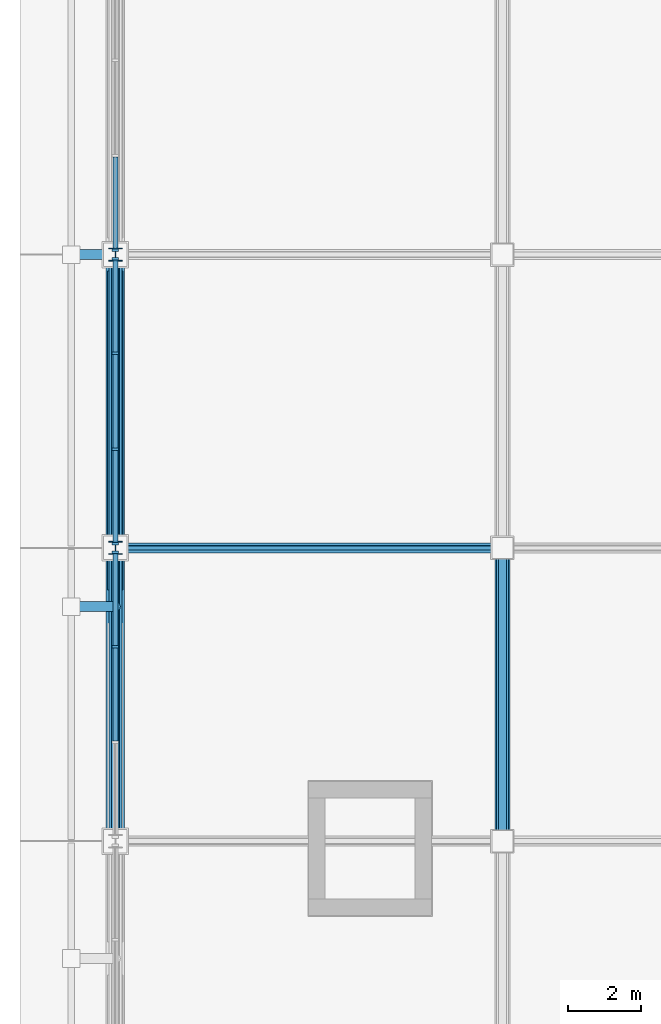
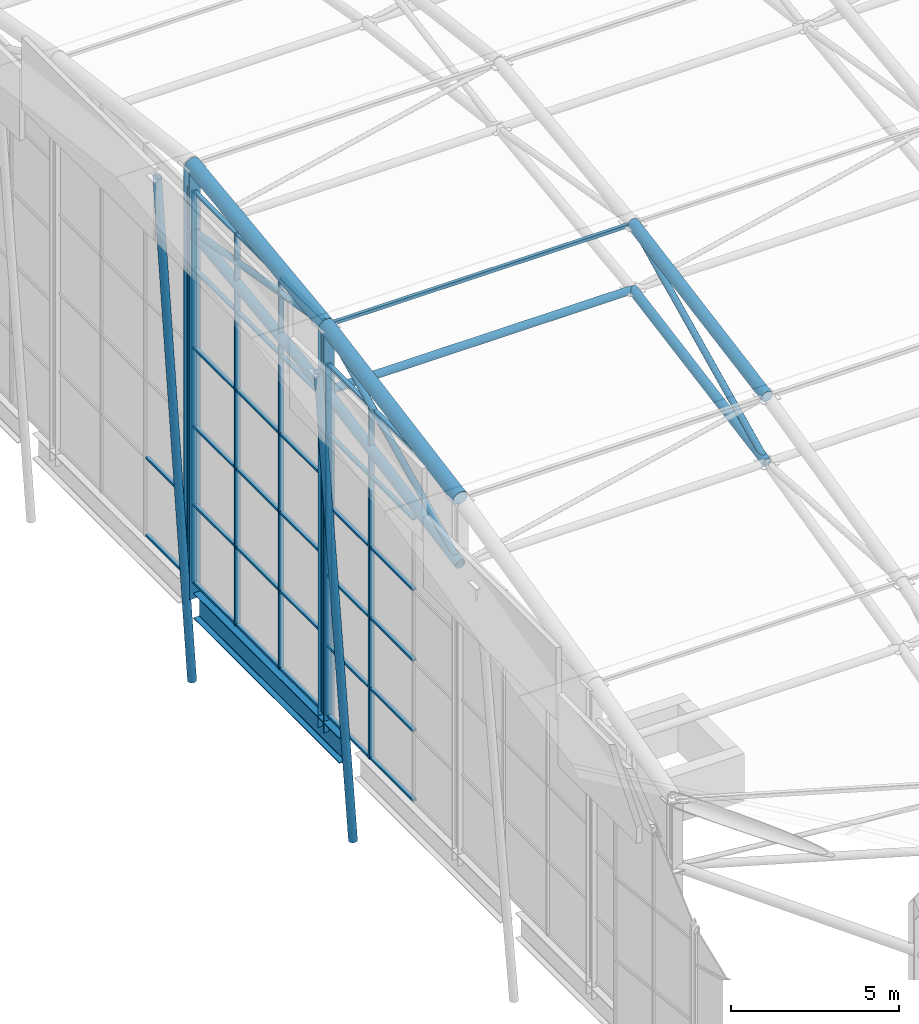
# One storey, part 6 of 42: 54 members, 1 beam, 3 elements without a shape of their own.
"""IFC4 building model written with IfcOpenShell, lengths in metres."""

from ifc_helpers import new_model, si_unit, direction, frame, origin, origin_2d, place, context, subcontext, project, spatial, rectangle, hollow_rectangle, hollow_circle, i_section, extrude, material, layer, layer_set, material_profile, profile_set, type_object, element, aggregate, save


model = new_model("IFC4")

# Units and contexts
model_context = context("Model", 3, precision=1e-05, world=origin(), true_north=direction((0.0, 1.0)))
body_context = subcontext(model_context, "Body", "Model", "MODEL_VIEW")
ifc_project = project(units=[si_unit("LENGTHUNIT", "METRE"), si_unit("AREAUNIT", "SQUARE_METRE"), si_unit("VOLUMEUNIT", "CUBIC_METRE"), si_unit("PLANEANGLEUNIT", "RADIAN"), si_unit("MASSUNIT", "GRAM", prefix="KILO")], contexts=[model_context])

# Site, building, storey
site_placement = place(None, origin())
site = spatial("IfcSite", under=ifc_project, at=site_placement, CompositionType="ELEMENT")
building_placement = place(site_placement, origin())
building = spatial("IfcBuilding", under=site, at=building_placement, Name="Caelomonte Colonnade Arena", CompositionType="ELEMENT")
storey_placement = place(building_placement, frame((0.0, 0.0, 28.199951171875)))
storey = spatial("IfcBuildingStorey", under=building, at=storey_placement, Name="RF", CompositionType="ELEMENT", Elevation=28.199951171875)

# Curtain wall, members
ifc_material_1 = material(Name="Bronze anodised aluminium and low-E glazing", Category="aluminium")
ifc_layer_1 = layer(ifc_material_1, 0.179931640625)
ifc_layer_set_1 = layer_set([ifc_layer_1], Name="Bronze anodised aluminium and low-E glazing")
curtain_wall_type_1 = type_object("IfcCurtainWallType", Name="ENV-CW-CW-TYMP-03", PredefinedType="USERDEFINED", material=ifc_layer_set_1)
curtain_wall_1_placement = place(storey_placement, origin())
curtain_wall_1 = element("IfcCurtainWall", 1, at=curtain_wall_1_placement, inside=storey, type_object=curtain_wall_type_1, Name="Barrel arch W clerestory tympanum curtain wall 3", ObjectType="UNITIZED CURTAIN WALL", PredefinedType="USERDEFINED")
ifc_material_2 = material(Name="Bronze anodised aluminium AA6063-T6", Category="aluminium")
ifc_material_profile_1 = material_profile(ifc_material_2, rectangle(XDim=0.070068359375, YDim=0.179931640625, at=origin_2d()), Name="CWM-70X180")
ifc_profile_set_1 = profile_set([ifc_material_profile_1], Name="Bronze anodised aluminium AA6063-T6")
member_type_1 = type_object("IfcMemberType", Name="ENV-CW-MULL1", PredefinedType="MULLION", material=ifc_profile_set_1)
member_1_placement = place(storey_placement, frame((57.60009765625, 59.0849609375, -0.14990234375), z_axis=(0.0, 0.0, 1.0), x_axis=(0.0, -1.0, 0.0)))
member_1 = element("IfcMember", 2, at=member_1_placement, type_object=member_type_1, Name="CW-TYMP-03 mullion 1", PredefinedType="MULLION", context=body_context, shape_type="SweptSolid", body=[
    extrude(rectangle(XDim=0.070068359375, YDim=0.179931640625, at=origin_2d()), origin(), (0.0, 0.0, 1.0), 12.8359375),
])
member_2_placement = place(storey_placement, frame((57.60009765625, 56.506591796875, -0.14990234375), z_axis=(0.0, 0.0, 1.0), x_axis=(0.0, -1.0, 0.0)))
member_2 = element("IfcMember", 3, at=member_2_placement, type_object=member_type_1, Name="CW-TYMP-03 mullion 2", PredefinedType="MULLION", context=body_context, shape_type="SweptSolid", body=[
    extrude(rectangle(XDim=0.070068359375, YDim=0.179931640625, at=origin_2d()), origin(), (0.0, 0.0, 1.0), 12.8359375),
])

ifc_layer_2 = layer(ifc_material_1, 0.179931640625)
ifc_layer_set_2 = layer_set([ifc_layer_2], Name="Bronze anodised aluminium and low-E glazing")
curtain_wall_type_2 = type_object("IfcCurtainWallType", Name="ENV-CW-CW-TYMP-04", PredefinedType="USERDEFINED", material=ifc_layer_set_2)
curtain_wall_2_placement = place(storey_placement, origin())
curtain_wall_2 = element("IfcCurtainWall", 4, at=curtain_wall_2_placement, inside=storey, type_object=curtain_wall_type_2, Name="Barrel arch W clerestory tympanum curtain wall 4", ObjectType="UNITIZED CURTAIN WALL", PredefinedType="USERDEFINED")
member_3_placement = place(storey_placement, frame((57.60009765625, 67.0849609375, -0.14990234375), z_axis=(0.0, 0.0, 1.0), x_axis=(0.0, -1.0, 0.0)))
member_3 = element("IfcMember", 5, at=member_3_placement, type_object=member_type_1, Name="CW-TYMP-04 mullion 1", PredefinedType="MULLION", context=body_context, shape_type="SweptSolid", body=[
    extrude(rectangle(XDim=0.070068359375, YDim=0.179931640625, at=origin_2d()), origin(), (0.0, 0.0, 1.0), 14.284912109375),
])
member_4_placement = place(storey_placement, frame((57.60009765625, 64.506591796875, -0.14990234375), z_axis=(0.0, 0.0, 1.0), x_axis=(0.0, -1.0, 0.0)))
member_4 = element("IfcMember", 6, at=member_4_placement, type_object=member_type_1, Name="CW-TYMP-04 mullion 2", PredefinedType="MULLION", context=body_context, shape_type="SweptSolid", body=[
    extrude(rectangle(XDim=0.070068359375, YDim=0.179931640625, at=origin_2d()), origin(), (0.0, 0.0, 1.0), 14.284912109375),
])
member_5_placement = place(storey_placement, frame((57.60009765625, 61.893310546875, -0.14990234375), z_axis=(0.0, 0.0, 1.0), x_axis=(0.0, -1.0, 0.0)))
member_5 = element("IfcMember", 7, at=member_5_placement, type_object=member_type_1, Name="CW-TYMP-04 mullion 3", PredefinedType="MULLION", context=body_context, shape_type="SweptSolid", body=[
    extrude(rectangle(XDim=0.070068359375, YDim=0.179931640625, at=origin_2d()), origin(), (0.0, 0.0, 1.0), 14.284912109375),
])
member_6_placement = place(storey_placement, frame((57.60009765625, 59.31494140625, -0.14990234375), z_axis=(0.0, 0.0, 1.0), x_axis=(0.0, -1.0, 0.0)))
member_6 = element("IfcMember", 8, at=member_6_placement, type_object=member_type_1, Name="CW-TYMP-04 mullion 4", PredefinedType="MULLION", context=body_context, shape_type="SweptSolid", body=[
    extrude(rectangle(XDim=0.070068359375, YDim=0.179931640625, at=origin_2d()), origin(), (0.0, 0.0, 1.0), 14.284912109375),
])

# Curtain wall, member
ifc_layer_3 = layer(ifc_material_1, 0.179931640625)
ifc_layer_set_3 = layer_set([ifc_layer_3], Name="Bronze anodised aluminium and low-E glazing")
curtain_wall_type_3 = type_object("IfcCurtainWallType", Name="ENV-CW-CW-TYMP-05", PredefinedType="USERDEFINED", material=ifc_layer_set_3)
curtain_wall_3_placement = place(storey_placement, origin())
curtain_wall_3 = element("IfcCurtainWall", 9, at=curtain_wall_3_placement, inside=storey, type_object=curtain_wall_type_3, Name="Barrel arch W clerestory tympanum curtain wall 5", ObjectType="UNITIZED CURTAIN WALL", PredefinedType="USERDEFINED")
member_7_placement = place(storey_placement, frame((57.60009765625, 67.31494140625, -0.14990234375), z_axis=(0.0, 0.0, 1.0), x_axis=(0.0, -1.0, 0.0)))
member_7 = element("IfcMember", 10, at=member_7_placement, type_object=member_type_1, Name="CW-TYMP-05 mullion 4", PredefinedType="MULLION", context=body_context, shape_type="SweptSolid", body=[
    extrude(rectangle(XDim=0.070068359375, YDim=0.179931640625, at=origin_2d()), origin(), (0.0, 0.0, 1.0), 14.284912109375),
])

# Member
ifc_material_profile_2 = material_profile(ifc_material_2, rectangle(XDim=0.070068359375, YDim=0.139892578125, at=origin_2d()), Name="CWT-70X140")
ifc_profile_set_2 = profile_set([ifc_material_profile_2], Name="Bronze anodised aluminium AA6063-T6")
member_type_2 = type_object("IfcMemberType", Name="ENV-CW-TRAN1", PredefinedType="USERDEFINED", material=ifc_profile_set_2)
member_8_placement = place(storey_placement, frame((57.60009765625, 59.050048828125, -0.114990234375), z_axis=(0.0, -1.0, 0.0), x_axis=(0.0, 0.0, 1.0)))
member_8 = element("IfcMember", 11, at=member_8_placement, type_object=member_type_2, Name="CW-TYMP-03 transom 1.1", ObjectType="TRANSOM", PredefinedType="USERDEFINED", context=body_context, shape_type="SweptSolid", body=[
    extrude(rectangle(XDim=0.070068359375, YDim=0.139892578125, at=origin_2d()), origin(), (0.0, 0.0, 1.0), 2.50830078125),
])

member_9_placement = place(storey_placement, frame((57.60009765625, 59.050048828125, 2.417236328125), z_axis=(0.0, -1.0, 0.0), x_axis=(0.0, 0.0, 1.0)))
member_9 = element("IfcMember", 12, at=member_9_placement, type_object=member_type_2, Name="CW-TYMP-03 transom 1.2", ObjectType="TRANSOM", PredefinedType="USERDEFINED", context=body_context, shape_type="SweptSolid", body=[
    extrude(rectangle(XDim=0.070068359375, YDim=0.139892578125, at=origin_2d()), origin(), (0.0, 0.0, 1.0), 2.50830078125),
])

member_10_placement = place(storey_placement, frame((57.60009765625, 59.050048828125, 4.984375), z_axis=(0.0, -1.0, 0.0), x_axis=(0.0, 0.0, 1.0)))
member_10 = element("IfcMember", 13, at=member_10_placement, type_object=member_type_2, Name="CW-TYMP-03 transom 1.3", ObjectType="TRANSOM", PredefinedType="USERDEFINED", context=body_context, shape_type="SweptSolid", body=[
    extrude(rectangle(XDim=0.070068359375, YDim=0.139892578125, at=origin_2d()), origin(), (0.0, 0.0, 1.0), 2.50830078125),
])

member_11_placement = place(storey_placement, frame((57.60009765625, 59.050048828125, 7.5517578125), z_axis=(0.0, -1.0, 0.0), x_axis=(0.0, 0.0, 1.0)))
member_11 = element("IfcMember", 14, at=member_11_placement, type_object=member_type_2, Name="CW-TYMP-03 transom 1.4", ObjectType="TRANSOM", PredefinedType="USERDEFINED", context=body_context, shape_type="SweptSolid", body=[
    extrude(rectangle(XDim=0.070068359375, YDim=0.139892578125, at=origin_2d()), origin(), (0.0, 0.0, 1.0), 2.50830078125),
])

member_12_placement = place(storey_placement, frame((57.60009765625, 59.050048828125, 10.118896484375), z_axis=(0.0, -1.0, 0.0), x_axis=(0.0, 0.0, 1.0)))
member_12 = element("IfcMember", 15, at=member_12_placement, type_object=member_type_2, Name="CW-TYMP-03 transom 1.5", ObjectType="TRANSOM", PredefinedType="USERDEFINED", context=body_context, shape_type="SweptSolid", body=[
    extrude(rectangle(XDim=0.070068359375, YDim=0.139892578125, at=origin_2d()), origin(), (0.0, 0.0, 1.0), 2.50830078125),
])

member_13_placement = place(storey_placement, frame((57.60009765625, 59.050048828125, 12.651123046875), z_axis=(0.0, -1.0, 0.0), x_axis=(0.0, 0.0, 1.0)))
member_13 = element("IfcMember", 16, at=member_13_placement, type_object=member_type_2, Name="CW-TYMP-03 transom 1.6", ObjectType="TRANSOM", PredefinedType="USERDEFINED", context=body_context, shape_type="SweptSolid", body=[
    extrude(rectangle(XDim=0.070068359375, YDim=0.139892578125, at=origin_2d()), origin(), (0.0, 0.0, 1.0), 2.50830078125),
])

member_14_placement = place(storey_placement, frame((57.60009765625, 56.4716796875, -0.114990234375), z_axis=(0.0, -1.0, 0.0), x_axis=(0.0, 0.0, 1.0)))
member_14 = element("IfcMember", 17, at=member_14_placement, type_object=member_type_2, Name="CW-TYMP-03 transom 2.1", ObjectType="TRANSOM", PredefinedType="USERDEFINED", context=body_context, shape_type="SweptSolid", body=[
    extrude(rectangle(XDim=0.070068359375, YDim=0.139892578125, at=origin_2d()), origin(), (0.0, 0.0, 1.0), 2.54345703125),
])

member_15_placement = place(storey_placement, frame((57.60009765625, 56.4716796875, 2.417236328125), z_axis=(0.0, -1.0, 0.0), x_axis=(0.0, 0.0, 1.0)))
member_15 = element("IfcMember", 18, at=member_15_placement, type_object=member_type_2, Name="CW-TYMP-03 transom 2.2", ObjectType="TRANSOM", PredefinedType="USERDEFINED", context=body_context, shape_type="SweptSolid", body=[
    extrude(rectangle(XDim=0.070068359375, YDim=0.139892578125, at=origin_2d()), origin(), (0.0, 0.0, 1.0), 2.54345703125),
])

member_16_placement = place(storey_placement, frame((57.60009765625, 56.4716796875, 4.984375), z_axis=(0.0, -1.0, 0.0), x_axis=(0.0, 0.0, 1.0)))
member_16 = element("IfcMember", 19, at=member_16_placement, type_object=member_type_2, Name="CW-TYMP-03 transom 2.3", ObjectType="TRANSOM", PredefinedType="USERDEFINED", context=body_context, shape_type="SweptSolid", body=[
    extrude(rectangle(XDim=0.070068359375, YDim=0.139892578125, at=origin_2d()), origin(), (0.0, 0.0, 1.0), 2.54345703125),
])

member_17_placement = place(storey_placement, frame((57.60009765625, 56.4716796875, 7.5517578125), z_axis=(0.0, -1.0, 0.0), x_axis=(0.0, 0.0, 1.0)))
member_17 = element("IfcMember", 20, at=member_17_placement, type_object=member_type_2, Name="CW-TYMP-03 transom 2.4", ObjectType="TRANSOM", PredefinedType="USERDEFINED", context=body_context, shape_type="SweptSolid", body=[
    extrude(rectangle(XDim=0.070068359375, YDim=0.139892578125, at=origin_2d()), origin(), (0.0, 0.0, 1.0), 2.54345703125),
])

member_18_placement = place(storey_placement, frame((57.60009765625, 56.4716796875, 10.118896484375), z_axis=(0.0, -1.0, 0.0), x_axis=(0.0, 0.0, 1.0)))
member_18 = element("IfcMember", 21, at=member_18_placement, type_object=member_type_2, Name="CW-TYMP-03 transom 2.5", ObjectType="TRANSOM", PredefinedType="USERDEFINED", context=body_context, shape_type="SweptSolid", body=[
    extrude(rectangle(XDim=0.070068359375, YDim=0.139892578125, at=origin_2d()), origin(), (0.0, 0.0, 1.0), 2.54345703125),
])

member_19_placement = place(storey_placement, frame((57.60009765625, 56.4716796875, 12.651123046875), z_axis=(0.0, -1.0, 0.0), x_axis=(0.0, 0.0, 1.0)))
member_19 = element("IfcMember", 22, at=member_19_placement, type_object=member_type_2, Name="CW-TYMP-03 transom 2.6", ObjectType="TRANSOM", PredefinedType="USERDEFINED", context=body_context, shape_type="SweptSolid", body=[
    extrude(rectangle(XDim=0.070068359375, YDim=0.139892578125, at=origin_2d()), origin(), (0.0, 0.0, 1.0), 2.54345703125),
])

aggregate(curtain_wall_1, [member_1, member_2, member_8, member_9, member_10, member_11, member_12, member_13, member_14, member_15, member_16, member_17, member_18, member_19])

member_20_placement = place(storey_placement, frame((57.60009765625, 67.050048828125, -0.114990234375), z_axis=(0.0, -1.0, 0.0), x_axis=(0.0, 0.0, 1.0)))
member_20 = element("IfcMember", 23, at=member_20_placement, type_object=member_type_2, Name="CW-TYMP-04 transom 1.1", ObjectType="TRANSOM", PredefinedType="USERDEFINED", context=body_context, shape_type="SweptSolid", body=[
    extrude(rectangle(XDim=0.070068359375, YDim=0.139892578125, at=origin_2d()), origin(), (0.0, 0.0, 1.0), 2.50830078125),
])

member_21_placement = place(storey_placement, frame((57.60009765625, 67.050048828125, 2.70703125), z_axis=(0.0, -1.0, 0.0), x_axis=(0.0, 0.0, 1.0)))
member_21 = element("IfcMember", 24, at=member_21_placement, type_object=member_type_2, Name="CW-TYMP-04 transom 1.2", ObjectType="TRANSOM", PredefinedType="USERDEFINED", context=body_context, shape_type="SweptSolid", body=[
    extrude(rectangle(XDim=0.070068359375, YDim=0.139892578125, at=origin_2d()), origin(), (0.0, 0.0, 1.0), 2.50830078125),
])

member_22_placement = place(storey_placement, frame((57.60009765625, 67.050048828125, 5.56396484375), z_axis=(0.0, -1.0, 0.0), x_axis=(0.0, 0.0, 1.0)))
member_22 = element("IfcMember", 25, at=member_22_placement, type_object=member_type_2, Name="CW-TYMP-04 transom 1.3", ObjectType="TRANSOM", PredefinedType="USERDEFINED", context=body_context, shape_type="SweptSolid", body=[
    extrude(rectangle(XDim=0.070068359375, YDim=0.139892578125, at=origin_2d()), origin(), (0.0, 0.0, 1.0), 2.50830078125),
])

member_23_placement = place(storey_placement, frame((57.60009765625, 67.050048828125, 8.421142578125), z_axis=(0.0, -1.0, 0.0), x_axis=(0.0, 0.0, 1.0)))
member_23 = element("IfcMember", 26, at=member_23_placement, type_object=member_type_2, Name="CW-TYMP-04 transom 1.4", ObjectType="TRANSOM", PredefinedType="USERDEFINED", context=body_context, shape_type="SweptSolid", body=[
    extrude(rectangle(XDim=0.070068359375, YDim=0.139892578125, at=origin_2d()), origin(), (0.0, 0.0, 1.0), 2.50830078125),
])

member_24_placement = place(storey_placement, frame((57.60009765625, 67.050048828125, 11.278076171875), z_axis=(0.0, -1.0, 0.0), x_axis=(0.0, 0.0, 1.0)))
member_24 = element("IfcMember", 27, at=member_24_placement, type_object=member_type_2, Name="CW-TYMP-04 transom 1.5", ObjectType="TRANSOM", PredefinedType="USERDEFINED", context=body_context, shape_type="SweptSolid", body=[
    extrude(rectangle(XDim=0.070068359375, YDim=0.139892578125, at=origin_2d()), origin(), (0.0, 0.0, 1.0), 2.50830078125),
])

member_25_placement = place(storey_placement, frame((57.60009765625, 67.050048828125, 14.10009765625), z_axis=(0.0, -1.0, 0.0), x_axis=(0.0, 0.0, 1.0)))
member_25 = element("IfcMember", 28, at=member_25_placement, type_object=member_type_2, Name="CW-TYMP-04 transom 1.6", ObjectType="TRANSOM", PredefinedType="USERDEFINED", context=body_context, shape_type="SweptSolid", body=[
    extrude(rectangle(XDim=0.070068359375, YDim=0.139892578125, at=origin_2d()), origin(), (0.0, 0.0, 1.0), 2.50830078125),
])

member_26_placement = place(storey_placement, frame((57.60009765625, 64.4716796875, -0.114990234375), z_axis=(0.0, -1.0, 0.0), x_axis=(0.0, 0.0, 1.0)))
member_26 = element("IfcMember", 29, at=member_26_placement, type_object=member_type_2, Name="CW-TYMP-04 transom 2.1", ObjectType="TRANSOM", PredefinedType="USERDEFINED", context=body_context, shape_type="SweptSolid", body=[
    extrude(rectangle(XDim=0.070068359375, YDim=0.139892578125, at=origin_2d()), origin(), (0.0, 0.0, 1.0), 2.54345703125),
])

member_27_placement = place(storey_placement, frame((57.60009765625, 64.4716796875, 2.70703125), z_axis=(0.0, -1.0, 0.0), x_axis=(0.0, 0.0, 1.0)))
member_27 = element("IfcMember", 30, at=member_27_placement, type_object=member_type_2, Name="CW-TYMP-04 transom 2.2", ObjectType="TRANSOM", PredefinedType="USERDEFINED", context=body_context, shape_type="SweptSolid", body=[
    extrude(rectangle(XDim=0.070068359375, YDim=0.139892578125, at=origin_2d()), origin(), (0.0, 0.0, 1.0), 2.54345703125),
])

member_28_placement = place(storey_placement, frame((57.60009765625, 64.4716796875, 5.56396484375), z_axis=(0.0, -1.0, 0.0), x_axis=(0.0, 0.0, 1.0)))
member_28 = element("IfcMember", 31, at=member_28_placement, type_object=member_type_2, Name="CW-TYMP-04 transom 2.3", ObjectType="TRANSOM", PredefinedType="USERDEFINED", context=body_context, shape_type="SweptSolid", body=[
    extrude(rectangle(XDim=0.070068359375, YDim=0.139892578125, at=origin_2d()), origin(), (0.0, 0.0, 1.0), 2.54345703125),
])

member_29_placement = place(storey_placement, frame((57.60009765625, 64.4716796875, 8.421142578125), z_axis=(0.0, -1.0, 0.0), x_axis=(0.0, 0.0, 1.0)))
member_29 = element("IfcMember", 32, at=member_29_placement, type_object=member_type_2, Name="CW-TYMP-04 transom 2.4", ObjectType="TRANSOM", PredefinedType="USERDEFINED", context=body_context, shape_type="SweptSolid", body=[
    extrude(rectangle(XDim=0.070068359375, YDim=0.139892578125, at=origin_2d()), origin(), (0.0, 0.0, 1.0), 2.54345703125),
])

member_30_placement = place(storey_placement, frame((57.60009765625, 64.4716796875, 11.278076171875), z_axis=(0.0, -1.0, 0.0), x_axis=(0.0, 0.0, 1.0)))
member_30 = element("IfcMember", 33, at=member_30_placement, type_object=member_type_2, Name="CW-TYMP-04 transom 2.5", ObjectType="TRANSOM", PredefinedType="USERDEFINED", context=body_context, shape_type="SweptSolid", body=[
    extrude(rectangle(XDim=0.070068359375, YDim=0.139892578125, at=origin_2d()), origin(), (0.0, 0.0, 1.0), 2.54345703125),
])

member_31_placement = place(storey_placement, frame((57.60009765625, 64.4716796875, 14.10009765625), z_axis=(0.0, -1.0, 0.0), x_axis=(0.0, 0.0, 1.0)))
member_31 = element("IfcMember", 34, at=member_31_placement, type_object=member_type_2, Name="CW-TYMP-04 transom 2.6", ObjectType="TRANSOM", PredefinedType="USERDEFINED", context=body_context, shape_type="SweptSolid", body=[
    extrude(rectangle(XDim=0.070068359375, YDim=0.139892578125, at=origin_2d()), origin(), (0.0, 0.0, 1.0), 2.54345703125),
])

member_32_placement = place(storey_placement, frame((57.60009765625, 61.8583984375, -0.114990234375), z_axis=(0.0, -1.0, 0.0), x_axis=(0.0, 0.0, 1.0)))
member_32 = element("IfcMember", 35, at=member_32_placement, type_object=member_type_2, Name="CW-TYMP-04 transom 3.1", ObjectType="TRANSOM", PredefinedType="USERDEFINED", context=body_context, shape_type="SweptSolid", body=[
    extrude(rectangle(XDim=0.070068359375, YDim=0.139892578125, at=origin_2d()), origin(), (0.0, 0.0, 1.0), 2.50830078125),
])

member_33_placement = place(storey_placement, frame((57.60009765625, 61.8583984375, 2.70703125), z_axis=(0.0, -1.0, 0.0), x_axis=(0.0, 0.0, 1.0)))
member_33 = element("IfcMember", 36, at=member_33_placement, type_object=member_type_2, Name="CW-TYMP-04 transom 3.2", ObjectType="TRANSOM", PredefinedType="USERDEFINED", context=body_context, shape_type="SweptSolid", body=[
    extrude(rectangle(XDim=0.070068359375, YDim=0.139892578125, at=origin_2d()), origin(), (0.0, 0.0, 1.0), 2.50830078125),
])

member_34_placement = place(storey_placement, frame((57.60009765625, 61.8583984375, 5.56396484375), z_axis=(0.0, -1.0, 0.0), x_axis=(0.0, 0.0, 1.0)))
member_34 = element("IfcMember", 37, at=member_34_placement, type_object=member_type_2, Name="CW-TYMP-04 transom 3.3", ObjectType="TRANSOM", PredefinedType="USERDEFINED", context=body_context, shape_type="SweptSolid", body=[
    extrude(rectangle(XDim=0.070068359375, YDim=0.139892578125, at=origin_2d()), origin(), (0.0, 0.0, 1.0), 2.50830078125),
])

member_35_placement = place(storey_placement, frame((57.60009765625, 61.8583984375, 8.421142578125), z_axis=(0.0, -1.0, 0.0), x_axis=(0.0, 0.0, 1.0)))
member_35 = element("IfcMember", 38, at=member_35_placement, type_object=member_type_2, Name="CW-TYMP-04 transom 3.4", ObjectType="TRANSOM", PredefinedType="USERDEFINED", context=body_context, shape_type="SweptSolid", body=[
    extrude(rectangle(XDim=0.070068359375, YDim=0.139892578125, at=origin_2d()), origin(), (0.0, 0.0, 1.0), 2.50830078125),
])

member_36_placement = place(storey_placement, frame((57.60009765625, 61.8583984375, 11.278076171875), z_axis=(0.0, -1.0, 0.0), x_axis=(0.0, 0.0, 1.0)))
member_36 = element("IfcMember", 39, at=member_36_placement, type_object=member_type_2, Name="CW-TYMP-04 transom 3.5", ObjectType="TRANSOM", PredefinedType="USERDEFINED", context=body_context, shape_type="SweptSolid", body=[
    extrude(rectangle(XDim=0.070068359375, YDim=0.139892578125, at=origin_2d()), origin(), (0.0, 0.0, 1.0), 2.50830078125),
])

member_37_placement = place(storey_placement, frame((57.60009765625, 61.8583984375, 14.10009765625), z_axis=(0.0, -1.0, 0.0), x_axis=(0.0, 0.0, 1.0)))
member_37 = element("IfcMember", 40, at=member_37_placement, type_object=member_type_2, Name="CW-TYMP-04 transom 3.6", ObjectType="TRANSOM", PredefinedType="USERDEFINED", context=body_context, shape_type="SweptSolid", body=[
    extrude(rectangle(XDim=0.070068359375, YDim=0.139892578125, at=origin_2d()), origin(), (0.0, 0.0, 1.0), 2.50830078125),
])

aggregate(curtain_wall_2, [member_3, member_4, member_5, member_6, member_20, member_21, member_22, member_23, member_24, member_25, member_26, member_27, member_28, member_29, member_30, member_31, member_32, member_33, member_34, member_35, member_36, member_37])

member_38_placement = place(storey_placement, frame((57.60009765625, 69.8583984375, -0.114990234375), z_axis=(0.0, -1.0, 0.0), x_axis=(0.0, 0.0, 1.0)))
member_38 = element("IfcMember", 41, at=member_38_placement, type_object=member_type_2, Name="CW-TYMP-05 transom 3.1", ObjectType="TRANSOM", PredefinedType="USERDEFINED", context=body_context, shape_type="SweptSolid", body=[
    extrude(rectangle(XDim=0.070068359375, YDim=0.139892578125, at=origin_2d()), origin(), (0.0, 0.0, 1.0), 2.50830078125),
])

member_39_placement = place(storey_placement, frame((57.60009765625, 69.8583984375, 2.70703125), z_axis=(0.0, -1.0, 0.0), x_axis=(0.0, 0.0, 1.0)))
member_39 = element("IfcMember", 42, at=member_39_placement, type_object=member_type_2, Name="CW-TYMP-05 transom 3.2", ObjectType="TRANSOM", PredefinedType="USERDEFINED", context=body_context, shape_type="SweptSolid", body=[
    extrude(rectangle(XDim=0.070068359375, YDim=0.139892578125, at=origin_2d()), origin(), (0.0, 0.0, 1.0), 2.50830078125),
])

aggregate(curtain_wall_3, [member_7, member_38, member_39])

# Beam
ifc_material_3 = material(Name="Wide-flange steel ASTM A992 Grade 50", Category="steel")
ifc_material_profile_3 = material_profile(ifc_material_3, i_section(OverallWidth=0.418212890625, OverallDepth=0.927001953125, WebThickness=0.019287109375, FlangeThickness=0.031982421875, FilletRadius=0.024169921875, at=origin_2d()), Name="W36X231")
ifc_profile_set_3 = profile_set([ifc_material_profile_3], Name="Wide-flange steel ASTM A992 Grade 50")
beam_type = type_object("IfcBeamType", Name="STR-BM-EAVES1", PredefinedType="SPANDREL", material=ifc_profile_set_3)
beam_placement = place(storey_placement, frame((57.60009765625, 58.04931640625, -0.743408203125), z_axis=(0.0, 1.0, 0.0), x_axis=(-1.0, 0.0, 0.0)))
element("IfcBeam", 43, at=beam_placement, inside=storey, type_object=beam_type, Name="RF girder BMY-RF-0576-0576", PredefinedType="SPANDREL", context=body_context, shape_type="SweptSolid", body=[
    extrude(i_section(OverallWidth=0.418212890625, OverallDepth=0.927001953125, WebThickness=0.019287109375, FlangeThickness=0.031982421875, FilletRadius=0.024169921875, at=origin_2d()), origin(), (0.0, 0.0, 1.0), 8.701416015625),
])

# Members
ifc_material_profile_4 = material_profile(ifc_material_3, i_section(OverallWidth=0.368896484375, OverallDepth=0.356201171875, WebThickness=0.01123046875, FlangeThickness=0.01806640625, FilletRadius=0.01513671875, at=origin_2d()), Name="W14X90")
ifc_profile_set_4 = profile_set([ifc_material_profile_4], Name="Wide-flange steel ASTM A992 Grade 50")
member_type_3 = type_object("IfcMemberType", Name="STR-CAT-STR", PredefinedType="STRUT", material=ifc_profile_set_4)
member_40_placement = place(storey_placement, frame((57.60009765625, 59.199951171875, -0.699951171875), z_axis=(0.0, 0.0, 1.0), x_axis=(1.0, 0.0, 0.0)))
element("IfcMember", 44, at=member_40_placement, inside=storey, type_object=member_type_3, Name="Roof truss eaves bearing post 0-5", PredefinedType="STRUT", context=body_context, shape_type="SweptSolid", body=[
    extrude(i_section(OverallWidth=0.368896484375, OverallDepth=0.356201171875, WebThickness=0.01123046875, FlangeThickness=0.01806640625, FilletRadius=0.01513671875, at=origin_2d()), origin(), (0.0, 0.0, 1.0), 14.68505859375),
])
member_41_placement = place(storey_placement, frame((57.60009765625, 67.199951171875, -0.699951171875), z_axis=(0.0, 0.0, 1.0), x_axis=(1.0, 0.0, 0.0)))
element("IfcMember", 45, at=member_41_placement, inside=storey, type_object=member_type_3, Name="Roof truss eaves bearing post 0-6", PredefinedType="STRUT", context=body_context, shape_type="SweptSolid", body=[
    extrude(i_section(OverallWidth=0.368896484375, OverallDepth=0.356201171875, WebThickness=0.01123046875, FlangeThickness=0.01806640625, FilletRadius=0.01513671875, at=origin_2d()), origin(), (0.0, 0.0, 1.0), 15.699951171875),
])
ifc_material_4 = material(Name="Steel ASTM A500 Grade C", Category="steel")
ifc_material_profile_5 = material_profile(ifc_material_4, hollow_circle(Radius=0.177734375, WallThickness=0.0126953125, at=origin_2d()), Name="CHS355.6X12.7")
ifc_profile_set_5 = profile_set([ifc_material_profile_5], Name="Steel ASTM A500 Grade C")
member_type_4 = type_object("IfcMemberType", Name="STR-SF-BC1", PredefinedType="CHORD", material=ifc_profile_set_5)
member_42_placement = place(storey_placement, frame((57.60009765625, 51.201904296875, 10.136474609375), z_axis=(0.0, 0.983990820662, 0.178219148393), x_axis=(-1.0, 0.0, 0.0)))
element("IfcMember", 46, at=member_42_placement, inside=storey, type_object=member_type_4, Name="Arched roof truss bottom chord 0-4", PredefinedType="CHORD", context=body_context, shape_type="SweptSolid", body=[
    extrude(hollow_circle(Radius=0.177734375, WallThickness=0.0126953125, at=origin_2d()), origin(), (0.0, 0.0, 1.0), 8.126220703125),
])
member_43_placement = place(storey_placement, frame((57.60009765625, 59.201904296875, 11.58544921875), z_axis=(0.0, 0.992048803131, 0.125853773113), x_axis=(-1.0, 0.0, 0.0)))
element("IfcMember", 47, at=member_43_placement, inside=storey, type_object=member_type_4, Name="Arched roof truss bottom chord 0-5", PredefinedType="CHORD", context=body_context, shape_type="SweptSolid", body=[
    extrude(hollow_circle(Radius=0.177734375, WallThickness=0.0126953125, at=origin_2d()), origin(), (0.0, 0.0, 1.0), 8.060302734375),
])
ifc_material_profile_6 = material_profile(ifc_material_4, hollow_circle(Radius=0.161865234375, WallThickness=0.010009765625, at=origin_2d()), Name="CHS323.9X10.0")
ifc_profile_set_6 = profile_set([ifc_material_profile_6], Name="Steel ASTM A500 Grade C")
member_type_5 = type_object("IfcMemberType", Name="STR-SF-BC2", PredefinedType="CHORD", material=ifc_profile_set_6)
member_44_placement = place(storey_placement, frame((68.159912109375, 51.201904296875, 10.136474609375), z_axis=(0.0, 0.983990820662, 0.178219148393), x_axis=(-1.0, 0.0, 0.0)))
element("IfcMember", 48, at=member_44_placement, inside=storey, type_object=member_type_5, Name="Arched roof truss bottom chord 1-4", PredefinedType="CHORD", context=body_context, shape_type="SweptSolid", body=[
    extrude(hollow_circle(Radius=0.161865234375, WallThickness=0.010009765625, at=origin_2d()), origin(), (0.0, 0.0, 1.0), 8.126220703125),
])
ifc_material_profile_7 = material_profile(ifc_material_4, hollow_rectangle(XDim=0.126953125, YDim=0.126953125, WallThickness=0.00634765625, InnerFilletRadius=0.00634765625, OuterFilletRadius=0.0126953125, at=origin_2d()), Name="HSS127X127X6.4")
ifc_profile_set_7 = profile_set([ifc_material_profile_7], Name="Steel ASTM A500 Grade C")
member_type_6 = type_object("IfcMemberType", Name="STR-SF-PUR3", PredefinedType="PURLIN", material=ifc_profile_set_7)
member_45_placement = place(storey_placement, frame((57.60205078125, 59.199951171875, 13.985107421875), z_axis=(1.0, 0.0, 0.0), x_axis=(0.0, 1.0, 0.0)))
element("IfcMember", 49, at=member_45_placement, inside=storey, type_object=member_type_6, Name="Arched roof purlin 0-5", PredefinedType="PURLIN", context=body_context, shape_type="SweptSolid", body=[
    extrude(hollow_rectangle(XDim=0.126953125, YDim=0.126953125, WallThickness=0.00634765625, InnerFilletRadius=0.00634765625, OuterFilletRadius=0.0126953125, at=origin_2d()), origin(), (0.0, 0.0, 1.0), 10.555908203125),
])
ifc_material_profile_8 = material_profile(ifc_material_4, hollow_circle(Radius=0.25390625, WallThickness=0.015869140625, at=origin_2d()), Name="CHS508X15.9")
ifc_profile_set_8 = profile_set([ifc_material_profile_8], Name="Steel ASTM A500 Grade C")
member_type_7 = type_object("IfcMemberType", Name="STR-SF-TC1", PredefinedType="CHORD", material=ifc_profile_set_8)
member_46_placement = place(storey_placement, frame((57.60009765625, 51.201904296875, 12.536376953125), z_axis=(0.0, 0.983990820662, 0.178219148393), x_axis=(-1.0, 0.0, 0.0)))
element("IfcMember", 50, at=member_46_placement, inside=storey, type_object=member_type_7, Name="Arched roof truss top chord 0-4", PredefinedType="CHORD", context=body_context, shape_type="SweptSolid", body=[
    extrude(hollow_circle(Radius=0.25390625, WallThickness=0.015869140625, at=origin_2d()), origin(), (0.0, 0.0, 1.0), 8.126220703125),
])
member_47_placement = place(storey_placement, frame((57.60009765625, 59.201904296875, 13.9853515625), z_axis=(0.0, 0.992048803131, 0.125853773113), x_axis=(-1.0, 0.0, 0.0)))
element("IfcMember", 51, at=member_47_placement, inside=storey, type_object=member_type_7, Name="Arched roof truss top chord 0-5", PredefinedType="CHORD", context=body_context, shape_type="SweptSolid", body=[
    extrude(hollow_circle(Radius=0.25390625, WallThickness=0.015869140625, at=origin_2d()), origin(), (0.0, 0.0, 1.0), 8.060302734375),
])
ifc_material_profile_9 = material_profile(ifc_material_4, hollow_circle(Radius=0.203125, WallThickness=0.0126953125, at=origin_2d()), Name="CHS406.4X12.7")
ifc_profile_set_9 = profile_set([ifc_material_profile_9], Name="Steel ASTM A500 Grade C")
member_type_8 = type_object("IfcMemberType", Name="STR-SF-TC2", PredefinedType="CHORD", material=ifc_profile_set_9)
member_48_placement = place(storey_placement, frame((68.159912109375, 51.201904296875, 12.536376953125), z_axis=(0.0, 0.983990820662, 0.178219148393), x_axis=(-1.0, 0.0, 0.0)))
element("IfcMember", 52, at=member_48_placement, inside=storey, type_object=member_type_8, Name="Arched roof truss top chord 1-4", PredefinedType="CHORD", context=body_context, shape_type="SweptSolid", body=[
    extrude(hollow_circle(Radius=0.203125, WallThickness=0.0126953125, at=origin_2d()), origin(), (0.0, 0.0, 1.0), 8.126220703125),
])
ifc_material_profile_10 = material_profile(ifc_material_4, hollow_circle(Radius=0.136474609375, WallThickness=0.00927734375, at=origin_2d()), Name="CHS273.0X9.3")
ifc_profile_set_10 = profile_set([ifc_material_profile_10], Name="Steel ASTM A500 Grade C")
member_type_9 = type_object("IfcMemberType", Name="STR-SF-TIE", PredefinedType="STRUT", material=ifc_profile_set_10)
member_49_placement = place(storey_placement, frame((57.60205078125, 59.199951171875, 11.5849609375), z_axis=(1.0, 0.0, 0.0), x_axis=(0.0, 1.0, 0.0)))
element("IfcMember", 53, at=member_49_placement, inside=storey, type_object=member_type_9, Name="Space frame roof tie strut 0-5", PredefinedType="STRUT", context=body_context, shape_type="SweptSolid", body=[
    extrude(hollow_circle(Radius=0.136474609375, WallThickness=0.00927734375, at=origin_2d()), origin(), (0.0, 0.0, 1.0), 10.555908203125),
])
member_50_placement = place(storey_placement, frame((57.599853515625, 57.60009765625, -3.7978515625), z_axis=(-0.068488307381, 0.0, 0.997651919134), x_axis=(0.0, -1.0, 0.0)))
element("IfcMember", 54, at=member_50_placement, inside=storey, type_object=member_type_9, Name="Roof eaves overhang inclined strut 3", PredefinedType="STRUT", context=body_context, shape_type="SweptSolid", body=[
    extrude(hollow_circle(Radius=0.136474609375, WallThickness=0.00927734375, at=origin_2d()), origin(), (0.0, 0.0, 1.0), 17.516845703125),
])
member_51_placement = place(storey_placement, frame((57.599853515625, 67.199951171875, -3.7978515625), z_axis=(-0.063867879544, 0.0, 0.99795836284), x_axis=(0.0, -1.0, 0.0)))
element("IfcMember", 55, at=member_51_placement, inside=storey, type_object=member_type_9, Name="Roof eaves overhang inclined strut 5", PredefinedType="STRUT", context=body_context, shape_type="SweptSolid", body=[
    extrude(hollow_circle(Radius=0.136474609375, WallThickness=0.00927734375, at=origin_2d()), origin(), (0.0, 0.0, 1.0), 18.7841796875),
])
ifc_material_profile_11 = material_profile(ifc_material_4, hollow_circle(Radius=0.109619140625, WallThickness=0.00830078125, at=origin_2d()), Name="CHS219.1X8.2")
ifc_profile_set_11 = profile_set([ifc_material_profile_11], Name="Steel ASTM A500 Grade C")
member_type_10 = type_object("IfcMemberType", Name="STR-SF-WEB1", PredefinedType="BRACE", material=ifc_profile_set_11)
member_52_placement = place(storey_placement, frame((57.60009765625, 51.201904296875, 10.136962890625), z_axis=(0.0, 0.901130279028, 0.433548405854), x_axis=(-1.0, 0.0, 0.0)))
element("IfcMember", 56, at=member_52_placement, inside=storey, type_object=member_type_10, Name="Space frame roof truss web diagonal 0-4", PredefinedType="BRACE", context=body_context, shape_type="SweptSolid", body=[
    extrude(hollow_circle(Radius=0.109619140625, WallThickness=0.00830078125, at=origin_2d()), origin(), (0.0, 0.0, 1.0), 8.873779296875),
])
member_53_placement = place(storey_placement, frame((57.60009765625, 59.201904296875, 13.98486328125), z_axis=(0.0, 0.985338447855, -0.1706110875), x_axis=(-1.0, 0.0, 0.0)))
element("IfcMember", 57, at=member_53_placement, inside=storey, type_object=member_type_10, Name="Space frame roof truss web diagonal 0-5", PredefinedType="BRACE", context=body_context, shape_type="SweptSolid", body=[
    extrude(hollow_circle(Radius=0.109619140625, WallThickness=0.00830078125, at=origin_2d()), origin(), (0.0, 0.0, 1.0), 8.114990234375),
])
member_54_placement = place(storey_placement, frame((68.159912109375, 51.201904296875, 10.136962890625), z_axis=(0.0, 0.901130279028, 0.433548405854), x_axis=(-1.0, 0.0, 0.0)))
element("IfcMember", 58, at=member_54_placement, inside=storey, type_object=member_type_10, Name="Space frame roof truss web diagonal 1-4", PredefinedType="BRACE", context=body_context, shape_type="SweptSolid", body=[
    extrude(hollow_circle(Radius=0.109619140625, WallThickness=0.00830078125, at=origin_2d()), origin(), (0.0, 0.0, 1.0), 8.873779296875),
])

save(model, "model.ifc")
